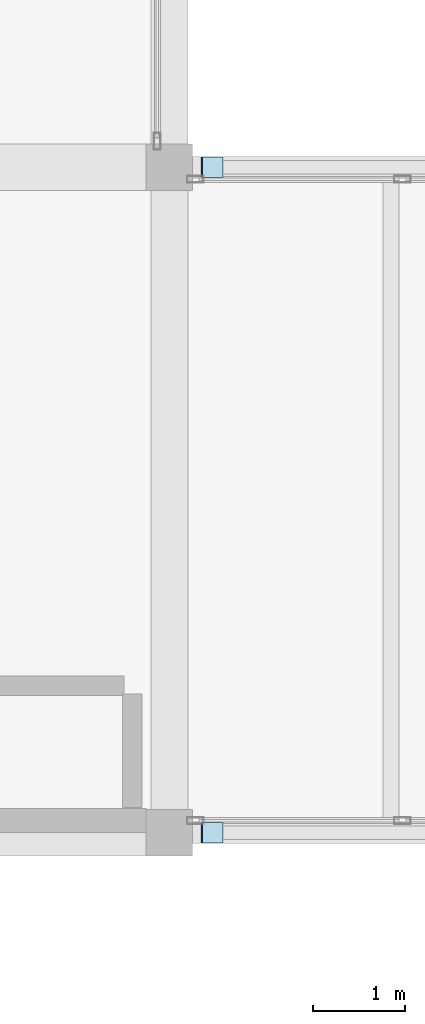
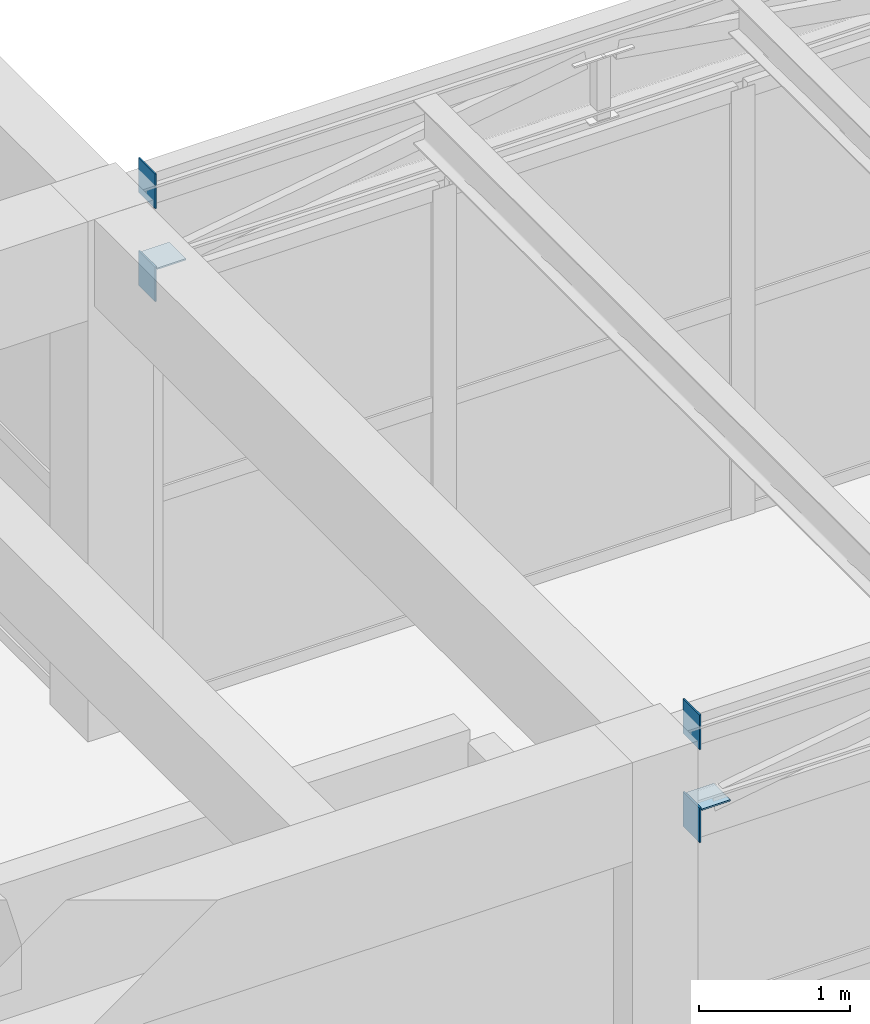
# One storey, part 126 of 153: 6 plates.
"""IFC4 building model written with IfcOpenShell, lengths in metres."""

from ifc_helpers import new_model, si_unit, direction, frame, origin, origin_2d, place, context, subcontext, project, spatial, rectangle, extrude, material, layer, layer_set, type_object, element, save


model = new_model("IFC4")

# Units and contexts
model_context = context("Model", 3, precision=1e-05, world=origin(), true_north=direction((0.0, 1.0)))
body_context = subcontext(model_context, "Body", "Model", "MODEL_VIEW")
ifc_project = project(units=[si_unit("LENGTHUNIT", "METRE"), si_unit("AREAUNIT", "SQUARE_METRE"), si_unit("VOLUMEUNIT", "CUBIC_METRE"), si_unit("PLANEANGLEUNIT", "RADIAN"), si_unit("MASSUNIT", "GRAM", prefix="KILO")], contexts=[model_context])

# Site, building, storey
site_placement = place(None, origin())
site = spatial("IfcSite", under=ifc_project, at=site_placement, CompositionType="ELEMENT")
building_placement = place(site_placement, origin())
building = spatial("IfcBuilding", under=site, at=building_placement, Name="Bramvelor Terrace Health Centre", CompositionType="ELEMENT")
storey_placement = place(building_placement, frame((0.0, 0.0, 4.800048828125)))
storey = spatial("IfcBuildingStorey", under=building, at=storey_placement, Name="L02", CompositionType="ELEMENT", Elevation=4.800048828125)

# Plates
ifc_material = material(Name="Steel S355J2", Category="steel")
ifc_layer = layer(ifc_material, 0.011962890625)
ifc_layer_set = layer_set([ifc_layer], Name="Steel S355J2")
plate_type = type_object("IfcPlateType", Name="PLT-CAP-12", PredefinedType="USERDEFINED", material=ifc_layer_set)
plate_1_placement = place(storey_placement, frame((29.27001953125, 50.39990234375, 3.51416015625), z_axis=(0.0, 0.0, 1.0), x_axis=(1.0, 0.0, 0.0)))
element("IfcPlate", 1, at=plate_1_placement, inside=storey, type_object=plate_type, Name="BR1 Truss Node Gusset 0A", ObjectType="GUSSET PLATE", PredefinedType="USERDEFINED", context=body_context, shape_type="SweptSolid", body=[
    extrude(rectangle(XDim=0.219970703125, YDim=0.219970703125, at=origin_2d()), origin(), (0.0, 0.0, 1.0), 0.011962890625),
])
for number, where, z_axis, x_axis, name in (
    (2, (29.14990234375, 50.39990234375, 3.259765625), (0.0, 0.0, 1.0), (1.0, 0.0, 0.0), "BR1 Truss Chord End Plate"),
    (3, (29.14990234375, 50.39990234375, 4.009765625), (0.0, 0.0, 1.0), (1.0, 0.0, 0.0), "BR1 Truss Chord End Plate"),
):
    element("IfcPlate", number, at=place(storey_placement, frame(where, z_axis=z_axis, x_axis=x_axis)), inside=storey, type_object=plate_type, Name=name, ObjectType="GUSSET PLATE", PredefinedType="USERDEFINED", context=body_context, shape_type="SweptSolid", body=[
        extrude(rectangle(XDim=0.011962890625, YDim=0.219970703125, at=origin_2d()), origin(), (0.0, 0.0, 1.0), 0.280029296875),
    ])
plate_2_placement = place(storey_placement, frame((29.27001953125, 57.60009765625, 3.51416015625), z_axis=(0.0, 0.0, 1.0), x_axis=(1.0, 0.0, 0.0)))
element("IfcPlate", 4, at=plate_2_placement, inside=storey, type_object=plate_type, Name="BR1 Truss Node Gusset 0A", ObjectType="GUSSET PLATE", PredefinedType="USERDEFINED", context=body_context, shape_type="SweptSolid", body=[
    extrude(rectangle(XDim=0.219970703125, YDim=0.219970703125, at=origin_2d()), origin(), (0.0, 0.0, 1.0), 0.011962890625),
])
for number, where, z_axis, x_axis, name in (
    (5, (29.14990234375, 57.60009765625, 3.259765625), (0.0, 0.0, 1.0), (1.0, 0.0, 0.0), "BR1 Truss Chord End Plate"),
    (6, (29.14990234375, 57.60009765625, 4.009765625), (0.0, 0.0, 1.0), (1.0, 0.0, 0.0), "BR1 Truss Chord End Plate"),
):
    element("IfcPlate", number, at=place(storey_placement, frame(where, z_axis=z_axis, x_axis=x_axis)), inside=storey, type_object=plate_type, Name=name, ObjectType="GUSSET PLATE", PredefinedType="USERDEFINED", context=body_context, shape_type="SweptSolid", body=[
        extrude(rectangle(XDim=0.011962890625, YDim=0.219970703125, at=origin_2d()), origin(), (0.0, 0.0, 1.0), 0.280029296875),
    ])

save(model, "model.ifc")
